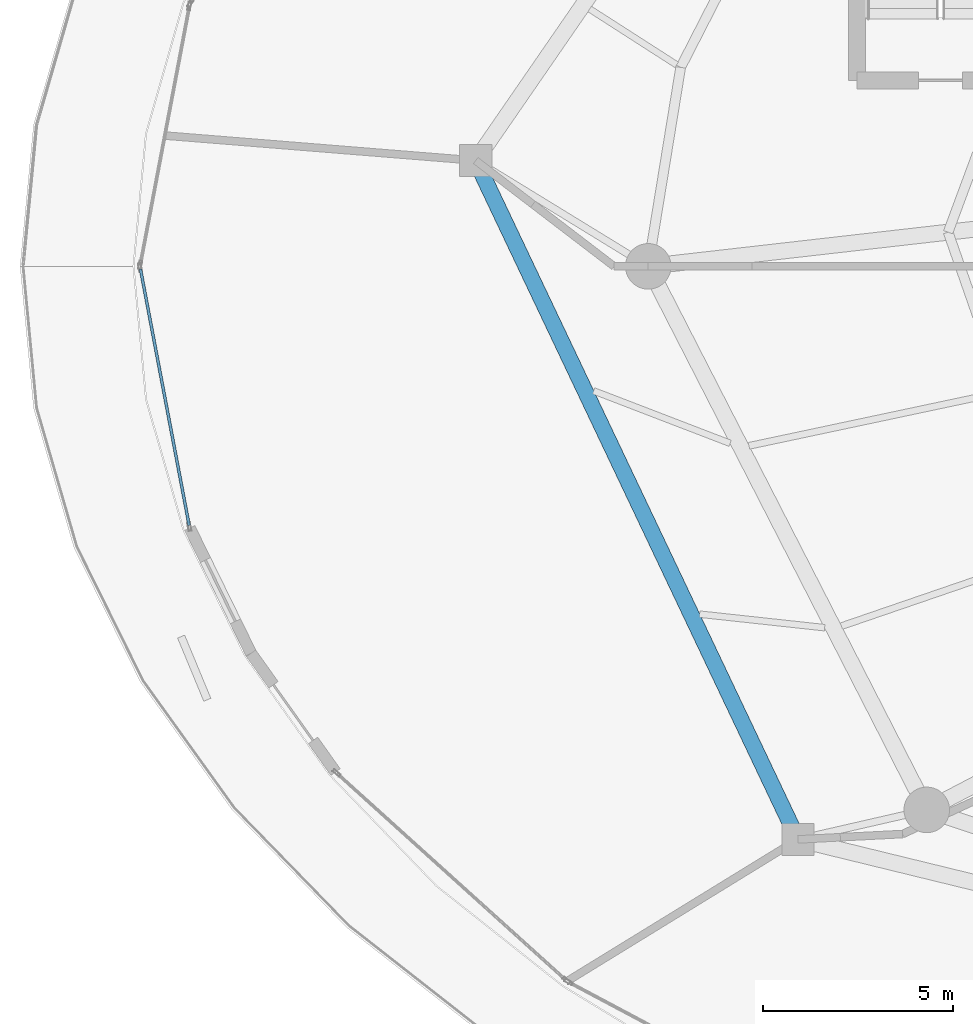
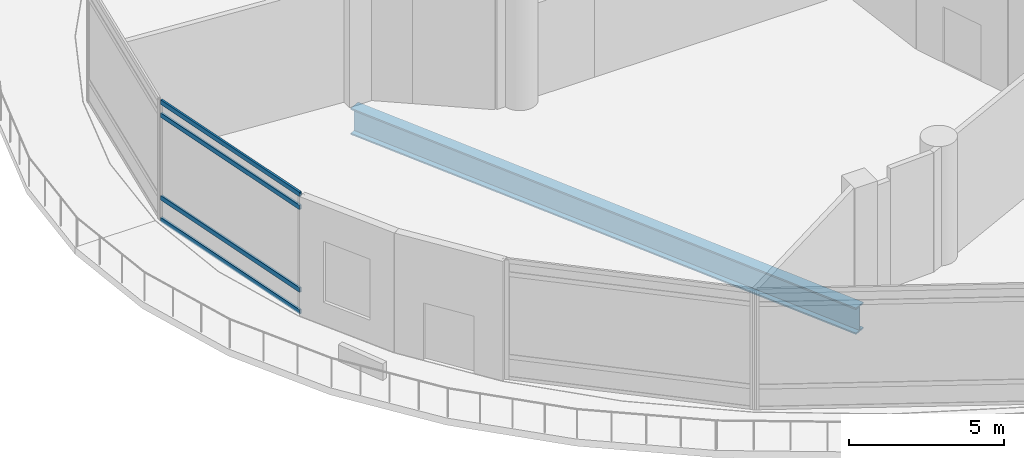
# One storey, part 6 of 37: 4 members, 1 beam, 1 element without a shape of its own.
"""IFC4 building model written with IfcOpenShell, lengths in metres."""

import ifcopenshell
import ifcopenshell.guid

model = None  # the IFC model being written
_history = None  # IfcOwnerHistory: only IFC2X3 demands one
_inside = {}  # id of a spatial element -> (the spatial element, [elements in it])
_under = {}  # id of a project, library or spatial element -> (it, [spatial elements below it])
_declared = {}  # id of a project -> (the project, [libraries it declares])
_typed = {}  # id of a type object -> (the type object, [elements of that type])
_made_of = {}  # id of a material, layer set ... -> (it, [elements and type objects made of it])


def new_model(schema):
    """Start an empty IFC model of exactly this schema.

    Asked for "IFC4X3", IfcOpenShell would pick the latest addendum, in which some entities
    have other attributes; the version numbers below select the first issue.
    IFC2X3 requires an IfcOwnerHistory on every rooted entity: one is made here for all.
    """
    global model, _history
    if schema == "IFC4X3":
        model = ifcopenshell.file(schema_version=(4, 3, 0, 0))
    else:
        model = ifcopenshell.file(schema=schema)
    _inside.clear()
    _under.clear()
    _declared.clear()
    _typed.clear()
    _made_of.clear()
    _history = None
    if model.schema == "IFC2X3":
        org = make("IfcOrganization", Name="unknown")
        user = make(
            "IfcPersonAndOrganization",
            ThePerson=make("IfcPerson", FamilyName="unknown"),
            TheOrganization=org,
        )
        app = make(
            "IfcApplication",
            ApplicationDeveloper=org,
            Version="unknown",
            ApplicationFullName="unknown",
            ApplicationIdentifier="unknown",
        )
        _history = make(
            "IfcOwnerHistory",
            OwningUser=user,
            OwningApplication=app,
            ChangeAction="ADDED",
            CreationDate=0,
        )
    return model


def make(cls, **values):
    """One entity of the class cls with the attributes given. An attribute that is None is left unset."""
    return model.create_entity(
        cls, **{name: value for name, value in values.items() if value is not None}
    )


def rooted(cls, **values):
    """An entity with a GlobalId (a new one), such as an element, a storey or a relation."""
    return make(cls, GlobalId=ifcopenshell.guid.new(), OwnerHistory=_history, **values)


def si_unit(unit_type, name, prefix=None):
    """IfcSIUnit, for example si_unit("LENGTHUNIT", "METRE", prefix="MILLI")."""
    return make("IfcSIUnit", UnitType=unit_type, Prefix=prefix, Name=name)


def assignment(units):
    """IfcUnitAssignment: the units of a project."""
    return None if units is None else make("IfcUnitAssignment", Units=units)


def point(xyz):
    """IfcCartesianPoint."""
    return None if xyz is None else make("IfcCartesianPoint", Coordinates=xyz)


def direction(xyz):
    """IfcDirection."""
    return None if xyz is None else make("IfcDirection", DirectionRatios=xyz)


def frame(location, z_axis=None, x_axis=None):
    """IfcAxis2Placement3D, a coordinate frame: its origin and axes. An axis left out is left unset."""
    return make(
        "IfcAxis2Placement3D",
        Location=point(location),
        Axis=direction(z_axis),
        RefDirection=direction(x_axis),
    )


def frame_2d(location, x_axis=None):
    """IfcAxis2Placement2D, a coordinate frame in the plane: its origin and x axis."""
    return make(
        "IfcAxis2Placement2D", Location=point(location), RefDirection=direction(x_axis)
    )


def origin():
    """The frame at (0, 0, 0) with its axes left unset."""
    return frame((0.0, 0.0, 0.0))


def origin_2d():
    """The frame at (0, 0) in the plane with its x axis left unset."""
    return frame_2d((0.0, 0.0))


def place(relative_to, where):
    """IfcLocalPlacement: puts the frame where relative to a parent placement (None: the world)."""
    return make(
        "IfcLocalPlacement", PlacementRelTo=relative_to, RelativePlacement=where
    )


def context(
    kind, dimensions, precision=None, world=None, true_north=None, identifier=None
):
    """IfcGeometricRepresentationContext, for example the 3D "Model" context."""
    return make(
        "IfcGeometricRepresentationContext",
        ContextIdentifier=identifier,
        ContextType=kind,
        CoordinateSpaceDimension=dimensions,
        Precision=precision,
        WorldCoordinateSystem=world,
        TrueNorth=true_north,
    )


def subcontext(parent, identifier, kind, view, scale=None):
    """IfcGeometricRepresentationSubContext, for example "Body" below "Model"."""
    return make(
        "IfcGeometricRepresentationSubContext",
        ContextIdentifier=identifier,
        ContextType=kind,
        ParentContext=parent,
        TargetScale=scale,
        TargetView=view,
    )


def project(units=None, contexts=None):
    """IfcProject with its units and contexts."""
    return rooted(
        "IfcProject",
        Name="project",
        RepresentationContexts=contexts,
        UnitsInContext=assignment(units),
    )


def spatial(cls, under=None, at=None, **own):
    """A site, building, storey or space (cls), placed at a placement, below another one or the project."""
    s = rooted(cls, ObjectPlacement=at, **own)
    if under is not None:
        _under.setdefault(under.id(), (under, []))[1].append(s)
    return s


def profile(cls, at=None, kind="AREA", **sizes):
    """A parametric profile (cls). Its sizes go by their IFC names, for example OverallWidth=200.0."""
    return make(cls, ProfileType=kind, Position=at, **sizes)


def hollow_rectangle(**sizes):
    """IfcRectangleHollowProfileDef."""
    return profile("IfcRectangleHollowProfileDef", **sizes)


def i_section(**sizes):
    """IfcIShapeProfileDef."""
    return profile("IfcIShapeProfileDef", **sizes)


def extrude(swept, where, along, depth):
    """IfcExtrudedAreaSolid: the profile swept, set in the frame where, extruded along a direction by depth."""
    return make(
        "IfcExtrudedAreaSolid",
        SweptArea=swept,
        Position=where,
        ExtrudedDirection=direction(along),
        Depth=depth,
    )


def shape(context_of_items, identifier, shape_type, items):
    """IfcShapeRepresentation: the items that make up one representation, for example the "Body"."""
    return make(
        "IfcShapeRepresentation",
        ContextOfItems=context_of_items,
        RepresentationIdentifier=identifier,
        RepresentationType=shape_type,
        Items=items,
    )


def material(Name=None, Category=None):
    """IfcMaterial."""
    return make("IfcMaterial", Name=Name, Category=Category)


def layer(
    of_material, thickness, ventilated=None, Name=None, Category=None, Priority=None
):
    """IfcMaterialLayer: one layer of a wall or slab, of a material (None: an air gap)."""
    return make(
        "IfcMaterialLayer",
        Material=of_material,
        LayerThickness=thickness,
        IsVentilated=ventilated,
        Name=Name,
        Category=Category,
        Priority=Priority,
    )


def layer_set(layers, Name=None):
    """IfcMaterialLayerSet."""
    return make("IfcMaterialLayerSet", MaterialLayers=layers, LayerSetName=Name)


def material_profile(
    of_material, cross_section, Name=None, Category=None, Priority=None
):
    """IfcMaterialProfile: a cross section and its material."""
    return make(
        "IfcMaterialProfile",
        Name=Name,
        Material=of_material,
        Profile=cross_section,
        Priority=Priority,
        Category=Category,
    )


def profile_set(profiles, Name=None, composite=None):
    """IfcMaterialProfileSet."""
    return make(
        "IfcMaterialProfileSet",
        Name=Name,
        MaterialProfiles=profiles,
        CompositeProfile=composite,
    )


def made_of(thing, what):
    """Note that an element or type object is made of a material, layer set ...; save() writes the relation."""
    if what is not None:
        _made_of.setdefault(what.id(), (what, []))[1].append(thing)
    return thing


def type_object(cls, material=None, **own):
    """A type object (cls), such as IfcWallType, which elements share."""
    return made_of(rooted(cls, **own), material)


def element(
    cls,
    number,
    at=None,
    inside=None,
    cuts=None,
    type_object=None,
    material=None,
    context=None,
    identifier="Body",
    shape_type=None,
    held_by="IfcProductDefinitionShape",
    body=None,
    shapes=None,
    **own,
):
    """One element of the class cls, such as IfcWall. Its Tag is "e" and its number.

    at: its placement. inside: the storey or other place that contains it. cuts: it is an
    opening in that element (IfcRelVoidsElement). A single representation is given by context,
    identifier, shape_type and body (its items); several are given by shapes. held_by: the class
    of the entity that holds the representations. save() writes the other relations.
    """
    e = rooted(cls, Tag="e%d" % number, ObjectPlacement=at, **own)
    if body is not None:
        shapes = [shape(context, identifier, shape_type, body)]
    if shapes is not None:
        e.Representation = make(held_by, Representations=shapes)
    if inside is not None:
        _inside.setdefault(inside.id(), (inside, []))[1].append(e)
    if cuts is not None:
        rooted(
            "IfcRelVoidsElement", RelatingBuildingElement=cuts, RelatedOpeningElement=e
        )
    if type_object is not None:
        _typed.setdefault(type_object.id(), (type_object, []))[1].append(e)
    return made_of(e, material)


def aggregate(whole, parts):
    """IfcRelAggregates: a whole, such as a stair, and the parts it consists of."""
    return rooted("IfcRelAggregates", RelatingObject=whole, RelatedObjects=parts)


def save(model, path):
    """Write the relations noted so far, then the file.

    IfcRelAggregates (storeys below a building ...), IfcRelContainedInSpatialStructure (elements
    in a storey), IfcRelDefinesByType, IfcRelAssociatesMaterial and IfcRelDeclares: one each for
    every whole, place, type object, material and project.
    """
    for whole, parts in _under.values():
        aggregate(whole, parts)
    for where, things in _inside.values():
        rooted(
            "IfcRelContainedInSpatialStructure",
            RelatedElements=things,
            RelatingStructure=where,
        )
    for kind, things in _typed.values():
        rooted("IfcRelDefinesByType", RelatedObjects=things, RelatingType=kind)
    for what, things in _made_of.values():
        rooted("IfcRelAssociatesMaterial", RelatedObjects=things, RelatingMaterial=what)
    for by, libraries in _declared.values():
        rooted("IfcRelDeclares", RelatingContext=by, RelatedDefinitions=libraries)
    model.write(path)


model = new_model("IFC4")

# Units and contexts
model_context = context("Model", 3, precision=1e-05, world=origin(), true_north=direction((0.0, 1.0)))
body_context = subcontext(model_context, "Body", "Model", "MODEL_VIEW")
ifc_project = project(units=[si_unit("LENGTHUNIT", "METRE"), si_unit("AREAUNIT", "SQUARE_METRE"), si_unit("VOLUMEUNIT", "CUBIC_METRE"), si_unit("PLANEANGLEUNIT", "RADIAN"), si_unit("MASSUNIT", "GRAM", prefix="KILO")], contexts=[model_context])

# Site, building, storey
site_placement = place(None, origin())
site = spatial("IfcSite", under=ifc_project, at=site_placement, CompositionType="ELEMENT")
building_placement = place(site_placement, origin())
building = spatial("IfcBuilding", under=site, at=building_placement, Name="Nuhasar Tower", CompositionType="ELEMENT")
storey_placement = place(building_placement, frame((0.0, 0.0, 6.0)))
storey = spatial("IfcBuildingStorey", under=building, at=storey_placement, Name="L01", CompositionType="ELEMENT", Elevation=6.0)

# Beam
ifc_material_1 = material(Name="Steel S460", Category="steel")
ifc_material_profile_1 = material_profile(ifc_material_1, i_section(OverallWidth=0.419921875, OverallDepth=1.0400390625, WebThickness=0.031005859375, FlangeThickness=0.055908203125, at=origin_2d()), Name="W40X397")
ifc_profile_set_1 = profile_set([ifc_material_profile_1], Name="Steel S460")
beam_type = type_object("IfcBeamType", Name="BM-XFER-W40X397", PredefinedType="USERDEFINED", material=ifc_profile_set_1)
beam_placement = place(storey_placement, frame((9.405029296875, 29.5869140625, -0.820068359375), z_axis=(0.428773284458, -0.903412126626, 0.0), x_axis=(0.903412126626, 0.428773284458, 0.0)))
element("IfcBeam", 1, at=beam_placement, inside=storey, type_object=beam_type, Name="L01 Podium Ring Girder 08", ObjectType="GIRDER", PredefinedType="USERDEFINED", context=body_context, shape_type="SweptSolid", body=[
    extrude(i_section(OverallWidth=0.419921875, OverallDepth=1.0400390625, WebThickness=0.031005859375, FlangeThickness=0.055908203125, at=origin_2d()), origin(), (0.0, 0.0, 1.0), 19.796142578125),
])

# Curtain wall, members
ifc_material_2 = material(Name="Aluminium 6063-T6", Category="aluminium")
ifc_layer = layer(ifc_material_2, 0.219970703125)
ifc_layer_set = layer_set([ifc_layer], Name="Aluminium 6063-T6")
curtain_wall_type = type_object("IfcCurtainWallType", Name="CW-PODIUM", PredefinedType="NOTDEFINED", material=ifc_layer_set)
curtain_wall_placement = place(storey_placement, origin())
curtain_wall = element("IfcCurtainWall", 2, at=curtain_wall_placement, inside=storey, type_object=curtain_wall_type, Name="L01 Podium Curtain Wall Bay 13", PredefinedType="NOTDEFINED")
ifc_material_profile_2 = material_profile(ifc_material_2, hollow_rectangle(XDim=0.074951171875, YDim=0.179931640625, WallThickness=0.00439453125, at=origin_2d()), Name="CWT-1")
ifc_profile_set_2 = profile_set([ifc_material_profile_2], Name="Aluminium 6063-T6")
member_type = type_object("IfcMemberType", Name="CW-TRN-S1", PredefinedType="USERDEFINED", material=ifc_profile_set_2)
member_1_placement = place(storey_placement, frame((0.573974609375, 26.726318359375, 0.03759765625), z_axis=(0.186653098125, -0.982425885734, 0.0), x_axis=(0.982425885734, 0.186653098125, 0.0)))
member_1 = element("IfcMember", 3, at=member_1_placement, type_object=member_type, Name="CW-P1 transom 1.1", ObjectType="TRANSOM", PredefinedType="USERDEFINED", context=body_context, shape_type="SweptSolid", body=[
    extrude(hollow_rectangle(XDim=0.074951171875, YDim=0.179931640625, WallThickness=0.00439453125, at=origin_2d()), origin(), (0.0, 0.0, 1.0), 6.8681640625),
])
member_2_placement = place(storey_placement, frame((0.573974609375, 26.726318359375, 0.89990234375), z_axis=(0.186653098125, -0.982425885734, 0.0), x_axis=(0.982425885734, 0.186653098125, 0.0)))
member_2 = element("IfcMember", 4, at=member_2_placement, type_object=member_type, Name="CW-P1 transom 1.2", ObjectType="TRANSOM", PredefinedType="USERDEFINED", context=body_context, shape_type="SweptSolid", body=[
    extrude(hollow_rectangle(XDim=0.074951171875, YDim=0.179931640625, WallThickness=0.00439453125, at=origin_2d()), origin(), (0.0, 0.0, 1.0), 6.8681640625),
])
member_3_placement = place(storey_placement, frame((0.573974609375, 26.726318359375, 4.14990234375), z_axis=(0.186653098125, -0.982425885734, 0.0), x_axis=(0.982425885734, 0.186653098125, 0.0)))
member_3 = element("IfcMember", 5, at=member_3_placement, type_object=member_type, Name="CW-P1 transom 1.3", ObjectType="TRANSOM", PredefinedType="USERDEFINED", context=body_context, shape_type="SweptSolid", body=[
    extrude(hollow_rectangle(XDim=0.074951171875, YDim=0.179931640625, WallThickness=0.00439453125, at=origin_2d()), origin(), (0.0, 0.0, 1.0), 6.8681640625),
])
member_4_placement = place(storey_placement, frame((0.573974609375, 26.726318359375, 4.66259765625), z_axis=(0.186653098125, -0.982425885734, 0.0), x_axis=(0.982425885734, 0.186653098125, 0.0)))
member_4 = element("IfcMember", 6, at=member_4_placement, type_object=member_type, Name="CW-P1 transom 1.4", ObjectType="TRANSOM", PredefinedType="USERDEFINED", context=body_context, shape_type="SweptSolid", body=[
    extrude(hollow_rectangle(XDim=0.074951171875, YDim=0.179931640625, WallThickness=0.00439453125, at=origin_2d()), origin(), (0.0, 0.0, 1.0), 6.8681640625),
])
aggregate(curtain_wall, [member_1, member_2, member_3, member_4])

save(model, "model.ifc")
